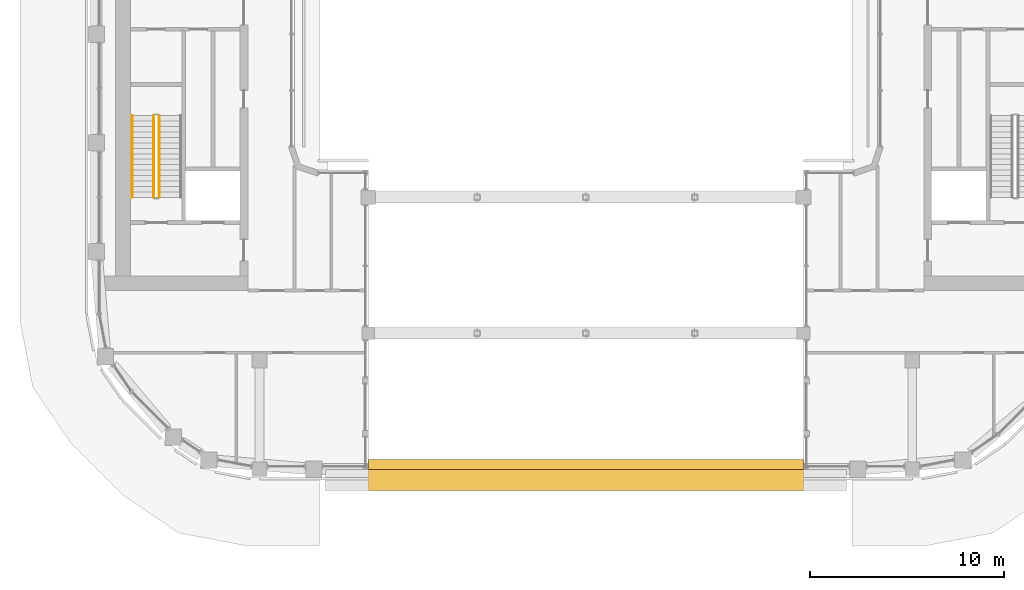
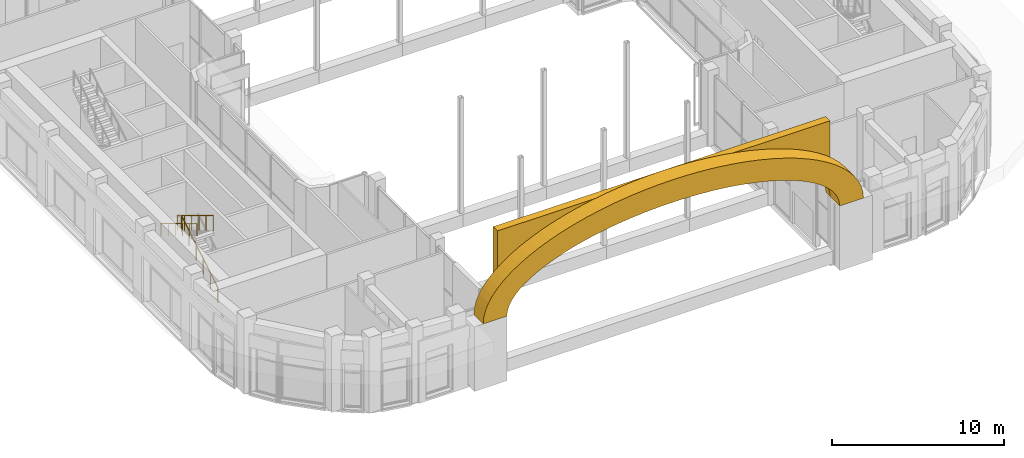
# One storey, part 19 of 26: 3 railings, 2 coverings.
"""IFC4 building model written with IfcOpenShell, lengths in metres."""

from ifc_helpers import new_model, si_unit, direction, frame, origin, origin_2d, place, context, subcontext, project, spatial, polyline, circle, outline, extrude, material, layer, layer_set, type_object, element, save


model = new_model("IFC4")

# Units and contexts
model_context = context("Model", 3, precision=1e-05, world=origin(), true_north=direction((0.0, 1.0)))
body_context = subcontext(model_context, "Body", "Model", "MODEL_VIEW")
ifc_project = project(units=[si_unit("LENGTHUNIT", "METRE"), si_unit("AREAUNIT", "SQUARE_METRE"), si_unit("VOLUMEUNIT", "CUBIC_METRE"), si_unit("PLANEANGLEUNIT", "RADIAN"), si_unit("MASSUNIT", "GRAM", prefix="KILO")], contexts=[model_context])

# Site, building, storey
site_placement = place(None, origin())
site = spatial("IfcSite", under=ifc_project, at=site_placement, CompositionType="ELEMENT")
building_placement = place(site_placement, origin())
building = spatial("IfcBuilding", under=site, at=building_placement, Name="Kiln Ring Residences", CompositionType="ELEMENT")
storey_placement = place(building_placement, frame((0.0, 0.0, 230.89990234375)))
storey = spatial("IfcBuildingStorey", under=building, at=storey_placement, Name="L60", CompositionType="ELEMENT", Elevation=230.89990234375)

# Railings
ifc_material_1 = material(Name="Stainless steel", Category="steel")
railing_type_1 = type_object("IfcRailingType", Name="CORE-STAIR-GUARD", PredefinedType="GUARDRAIL", material=ifc_material_1)
railing_1_placement = place(storey_placement, frame((-21.949951171875, -8.39990234375, 0.1689453125)))
element("IfcRailing", 1, at=railing_1_placement, inside=storey, type_object=railing_type_1, Name="L60 W-STS stair guard 1", PredefinedType="GUARDRAIL", context=body_context, shape_type="SweptSolid", body=[
    extrude(circle(Radius=0.02392578125, at=origin_2d()), frame((0.0, 0.0, 1.076171875), z_axis=(0.0, 0.856476492594, 0.516186030065), x_axis=(-1.0, 0.0, 0.0)), (0.0, 0.0, 1.0), 4.90380859375),
    extrude(circle(Radius=0.02099609375, at=origin_2d()), origin(), (0.0, 0.0, 1.0), 1.052001953125),
    extrude(circle(Radius=0.02099609375, at=origin_2d()), frame((0.0, 0.840087890625, 0.50634765625)), (0.0, 0.0, 1.0), 1.052001953125),
    extrude(circle(Radius=0.02099609375, at=origin_2d()), frame((0.0, 1.679931640625, 1.012451171875)), (0.0, 0.0, 1.0), 1.052001953125),
    extrude(circle(Radius=0.02099609375, at=origin_2d()), frame((0.0, 2.52001953125, 1.518798828125)), (0.0, 0.0, 1.0), 1.052001953125),
    extrude(circle(Radius=0.02099609375, at=origin_2d()), frame((0.0, 3.35986328125, 2.02490234375)), (0.0, 0.0, 1.0), 1.052001953125),
    extrude(circle(Radius=0.02099609375, at=origin_2d()), frame((0.0, 4.199951171875, 2.53125)), (0.0, 0.0, 1.0), 1.052001953125),
])
railing_2_placement = place(storey_placement, frame((-22.25, -4.199951171875, 2.868896484375)))
element("IfcRailing", 2, at=railing_2_placement, inside=storey, type_object=railing_type_1, Name="L60 W-STS stair guard 3", PredefinedType="GUARDRAIL", context=body_context, shape_type="SweptSolid", body=[
    extrude(circle(Radius=0.02392578125, at=origin_2d()), frame((0.0, 0.0, 1.076171875), z_axis=(0.0, -0.856476492594, 0.516186030065), x_axis=(1.0, 0.0, 0.0)), (0.0, 0.0, 1.0), 4.90380859375),
    extrude(circle(Radius=0.02099609375, at=origin_2d()), origin(), (0.0, 0.0, 1.0), 1.052001953125),
    extrude(circle(Radius=0.02099609375, at=origin_2d()), frame((0.0, -0.840087890625, 0.50634765625)), (0.0, 0.0, 1.0), 1.052001953125),
    extrude(circle(Radius=0.02099609375, at=origin_2d()), frame((0.0, -1.679931640625, 1.012451171875)), (0.0, 0.0, 1.0), 1.052001953125),
    extrude(circle(Radius=0.02099609375, at=origin_2d()), frame((0.0, -2.52001953125, 1.518798828125)), (0.0, 0.0, 1.0), 1.052001953125),
    extrude(circle(Radius=0.02099609375, at=origin_2d()), frame((0.0, -3.35986328125, 2.02490234375)), (0.0, 0.0, 1.0), 1.052001953125),
    extrude(circle(Radius=0.02099609375, at=origin_2d()), frame((0.0, -4.199951171875, 2.53125)), (0.0, 0.0, 1.0), 1.052001953125),
])
ifc_material_2 = material(Name="Stainless steel", Category="steel")
railing_type_2 = type_object("IfcRailingType", Name="CORE-STAIR-HANDRAIL", PredefinedType="HANDRAIL", material=ifc_material_2)
railing_3_placement = place(storey_placement, frame((-23.35009765625, -4.199951171875, 2.868896484375)))
element("IfcRailing", 3, at=railing_3_placement, inside=storey, type_object=railing_type_2, Name="L60 W-STS stair handrail 2", PredefinedType="HANDRAIL", context=body_context, shape_type="SweptSolid", body=[
    extrude(circle(Radius=0.02392578125, at=origin_2d()), frame((0.0, 0.0, 0.8759765625), z_axis=(0.0, -0.856476492594, 0.516186030065), x_axis=(1.0, 0.0, 0.0)), (0.0, 0.0, 1.0), 4.90380859375),
    extrude(circle(Radius=0.02099609375, at=origin_2d()), origin(), (0.0, 0.0, 1.0), 0.851806640625),
    extrude(circle(Radius=0.02099609375, at=origin_2d()), frame((0.0, -0.840087890625, 0.50634765625)), (0.0, 0.0, 1.0), 0.851806640625),
    extrude(circle(Radius=0.02099609375, at=origin_2d()), frame((0.0, -1.679931640625, 1.012451171875)), (0.0, 0.0, 1.0), 0.851806640625),
    extrude(circle(Radius=0.02099609375, at=origin_2d()), frame((0.0, -2.52001953125, 1.518798828125)), (0.0, 0.0, 1.0), 0.851806640625),
    extrude(circle(Radius=0.02099609375, at=origin_2d()), frame((0.0, -3.35986328125, 2.02490234375)), (0.0, 0.0, 1.0), 0.851806640625),
    extrude(circle(Radius=0.02099609375, at=origin_2d()), frame((0.0, -4.199951171875, 2.53125)), (0.0, 0.0, 1.0), 0.851806640625),
])

# Coverings
ifc_material_3 = material(Name="Concrete C35/45, exposed aggregate finish", Category="concrete")
covering_type_1 = type_object("IfcCoveringType", Name="PORTAL ARCHIVOLT 700", PredefinedType="CLADDING", material=ifc_material_3)
covering_1_placement = place(storey_placement, frame((12.800048828125, -22.949951171875, 4.60009765625), z_axis=(0.0, 0.0, 1.0), x_axis=(-1.0, 0.0, 0.0)))
element("IfcCovering", 4, at=covering_1_placement, inside=storey, type_object=covering_type_1, Name="PORTAL ARCHIVOLT L60", PredefinedType="CLADDING", context=body_context, shape_type="SweptSolid", body=[
    extrude(outline(polyline([(0.0, 0.0), (0.03955078125, 0.455078125), (0.15771484375, 0.9072265625), (0.353759765625, 1.35400390625), (0.62646484375, 1.792236328125), (0.974365234375, 2.219482421875), (1.39501953125, 2.633056640625), (1.88623046875, 3.030517578125), (2.444580078125, 3.4091796875), (3.06689453125, 3.766845703125), (3.7490234375, 4.101318359375), (4.487060546875, 4.410400390625), (5.2763671875, 4.6923828125), (6.112060546875, 4.9453125), (6.989013671875, 5.167724609375), (7.901611328125, 5.3583984375), (8.844482421875, 5.51611328125), (9.81201171875, 5.6396484375), (10.797607421875, 5.728515625), (11.795654296875, 5.781982421875), (12.800048828125, 5.800048828125), (13.80419921875, 5.781982421875), (14.802490234375, 5.728515625), (15.7880859375, 5.6396484375), (16.75537109375, 5.51611328125), (17.6982421875, 5.3583984375), (18.611083984375, 5.167724609375), (19.488037109375, 4.9453125), (20.32373046875, 4.6923828125), (21.11279296875, 4.410400390625), (21.85107421875, 4.101318359375), (22.533203125, 3.766845703125), (23.155517578125, 3.4091796875), (23.7138671875, 3.030517578125), (24.204833984375, 2.633056640625), (24.625732421875, 2.219482421875), (24.973388671875, 1.792236328125), (25.246337890625, 1.35400390625), (25.4423828125, 0.9072265625), (25.560546875, 0.455078125), (25.60009765625, 0.0), (24.0, 0.0), (23.965576171875, 0.32958984375), (23.862060546875, 0.656982421875), (23.6904296875, 0.98046875), (23.451904296875, 1.2978515625), (23.1474609375, 1.607421875), (22.779296875, 1.90673828125), (22.349609375, 2.194580078125), (21.861083984375, 2.46875), (21.31640625, 2.727783203125), (20.719482421875, 2.9697265625), (20.07373046875, 3.193603515625), (19.38330078125, 3.39794921875), (18.652099609375, 3.5810546875), (17.884765625, 3.7421875), (17.086181640625, 3.88037109375), (16.260986328125, 3.994384765625), (15.41455078125, 4.083984375), (14.552001953125, 4.148193359375), (13.6787109375, 4.18701171875), (12.800048828125, 4.199951171875), (11.92138671875, 4.18701171875), (11.0478515625, 4.148193359375), (10.185302734375, 4.083984375), (9.339111328125, 3.994384765625), (8.513916015625, 3.88037109375), (7.71533203125, 3.7421875), (6.947998046875, 3.5810546875), (6.216796875, 3.39794921875), (5.526123046875, 3.193603515625), (4.88037109375, 2.9697265625), (4.283447265625, 2.727783203125), (3.739013671875, 2.46875), (3.25048828125, 2.194580078125), (2.82080078125, 1.90673828125), (2.452392578125, 1.607421875), (2.148193359375, 1.2978515625), (1.909423828125, 0.98046875), (1.73779296875, 0.656982421875), (1.634521484375, 0.32958984375), (1.60009765625, 0.0), (0.0, 0.0)])), frame((0.0, 0.550048828125, 0.0), z_axis=(0.0, -1.0, 0.0), x_axis=(1.0, 0.0, 0.0)), (0.0, 0.0, 1.0), 1.10009765625),
])
ifc_material_4 = material(Name="Concrete C35/45, exposed aggregate finish", Category="concrete")
ifc_layer = layer(ifc_material_4, 0.5)
ifc_layer_set = layer_set([ifc_layer], Name="PORTAL TYMPANUM 500")
covering_type_2 = type_object("IfcCoveringType", Name="PORTAL TYMPANUM 500", PredefinedType="CLADDING", material=ifc_layer_set)
covering_2_placement = place(storey_placement, frame((11.199951171875, -22.14990234375, 4.60009765625), z_axis=(0.0, 0.0, 1.0), x_axis=(-1.0, 0.0, 0.0)))
element("IfcCovering", 5, at=covering_2_placement, inside=storey, type_object=covering_type_2, Name="PORTAL TYMPANUM L60", PredefinedType="CLADDING", context=body_context, shape_type="SweptSolid", body=[
    extrude(outline(polyline([(22.39990234375, 0.0), (22.39990234375, 5.39990234375), (0.0, 5.39990234375), (0.0, 0.0), (0.034423828125, 0.32958984375), (0.137939453125, 0.656982421875), (0.3095703125, 0.98046875), (0.548095703125, 1.2978515625), (0.8525390625, 1.607421875), (1.220703125, 1.90673828125), (1.650390625, 2.194580078125), (2.138916015625, 2.46875), (2.68359375, 2.727783203125), (3.280517578125, 2.9697265625), (3.92626953125, 3.193603515625), (4.61669921875, 3.39794921875), (5.347900390625, 3.5810546875), (6.115234375, 3.7421875), (6.913818359375, 3.88037109375), (7.739013671875, 3.994384765625), (8.58544921875, 4.083984375), (9.447998046875, 4.148193359375), (10.3212890625, 4.18701171875), (11.199951171875, 4.199951171875), (12.07861328125, 4.18701171875), (12.9521484375, 4.148193359375), (13.814697265625, 4.083984375), (14.660888671875, 3.994384765625), (15.486083984375, 3.88037109375), (16.28466796875, 3.7421875), (17.052001953125, 3.5810546875), (17.783203125, 3.39794921875), (18.473876953125, 3.193603515625), (19.11962890625, 2.9697265625), (19.716552734375, 2.727783203125), (20.260986328125, 2.46875), (20.74951171875, 2.194580078125), (21.17919921875, 1.90673828125), (21.547607421875, 1.607421875), (21.851806640625, 1.2978515625), (22.090576171875, 0.98046875), (22.26220703125, 0.656982421875), (22.365478515625, 0.32958984375), (22.39990234375, 0.0)])), frame((0.0, 0.25, 0.0), z_axis=(0.0, -1.0, 0.0), x_axis=(1.0, 0.0, 0.0)), (0.0, 0.0, 1.0), 0.5),
])

save(model, "model.ifc")
